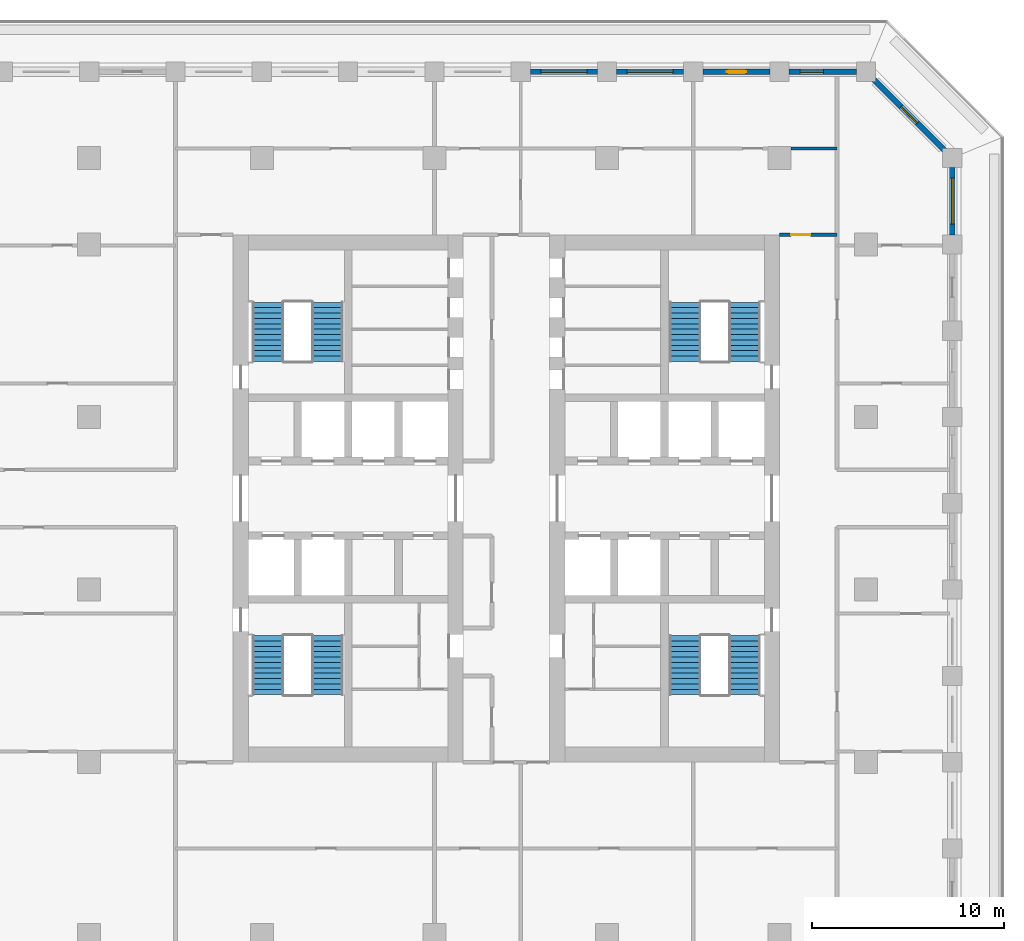
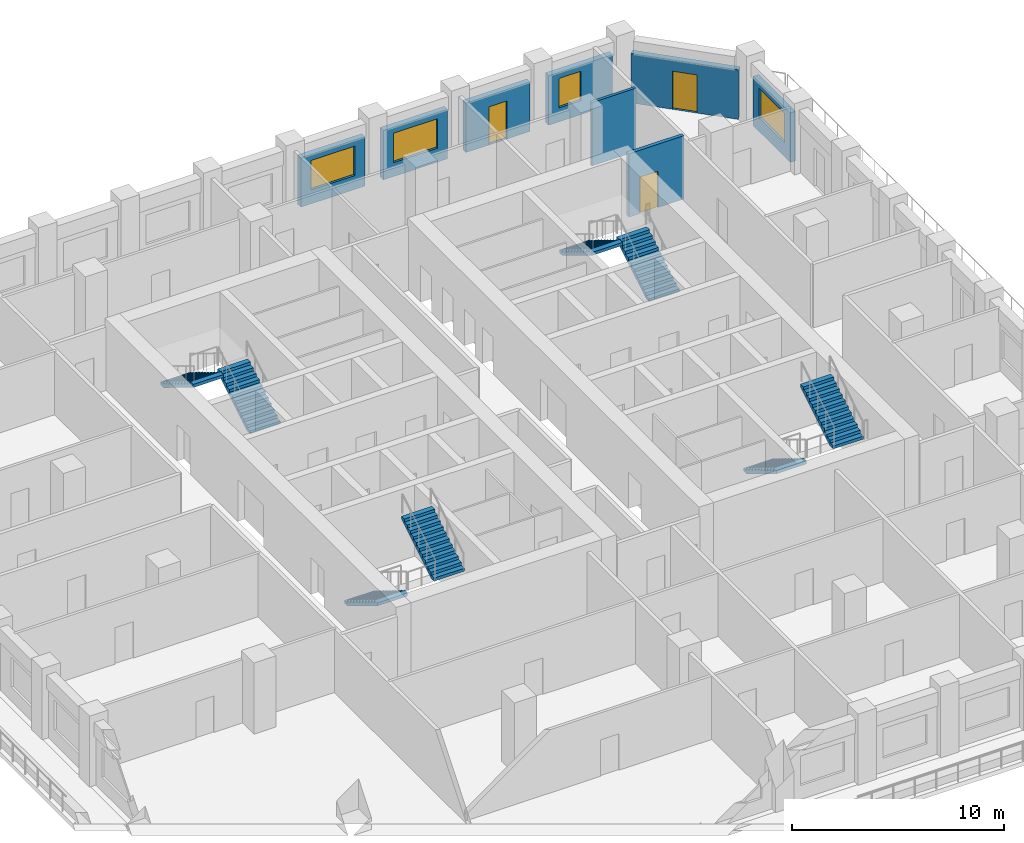
# One storey, part 8 of 16: 8 stair flights, 8 walls, 4 windows, 3 doors, 7 openings, 4 elements without a shape of their own.
"""IFC4 building model written with IfcOpenShell, lengths in metres."""

from ifc_helpers import new_model, si_unit, direction, frame, frame_2d, origin, place, context, subcontext, project, spatial, polyline, rectangle, outline, extrude, material, layer, layer_set, type_object, element, fill, aggregate, save


model = new_model("IFC4")

# Units and contexts
model_context = context("Model", 3, precision=1e-05, world=origin(), true_north=direction((0.0, 1.0)))
body_context = subcontext(model_context, "Body", "Model", "MODEL_VIEW")
ifc_project = project(units=[si_unit("LENGTHUNIT", "METRE"), si_unit("AREAUNIT", "SQUARE_METRE"), si_unit("VOLUMEUNIT", "CUBIC_METRE"), si_unit("PLANEANGLEUNIT", "RADIAN"), si_unit("MASSUNIT", "GRAM", prefix="KILO")], contexts=[model_context])

# Site, building, storey
site_placement = place(None, origin())
site = spatial("IfcSite", under=ifc_project, at=site_placement, CompositionType="ELEMENT")
building_placement = place(site_placement, origin())
building = spatial("IfcBuilding", under=site, at=building_placement, Name="Corbel Stack Research Tower", CompositionType="ELEMENT")
storey_placement = place(building_placement, frame((0.0, 0.0, 160.89990234375)))
storey = spatial("IfcBuildingStorey", under=building, at=storey_placement, Name="L36", CompositionType="ELEMENT", Elevation=160.89990234375)

# Wall, opening, door
ifc_material_1 = material(Name="Fire-rated gypsum board partition on steel studs", Category="steel")
ifc_layer_1 = layer(ifc_material_1, 0.199951171875)
ifc_layer_set_1 = layer_set([ifc_layer_1], Name="Fire-rated gypsum board partition on steel studs")
wall_type_1 = type_object("IfcWallType", Name="Fire-rated partition 200 EI 60", PredefinedType="PARTITIONING", material=ifc_layer_set_1)
wall_1_placement = place(storey_placement, frame((18.0, 18.5, 0.0), z_axis=(0.0, 0.0, 1.0), x_axis=(1.0, 0.0, 0.0)))
wall_1 = element("IfcWall", 1, at=wall_1_placement, inside=storey, type_object=wall_type_1, Name="Partition L36-043", PredefinedType="PARTITIONING", context=body_context, shape_type="SweptSolid", body=[
    extrude(rectangle(XDim=3.0, YDim=0.199951171875, at=frame_2d((1.5, 0.0))), origin(), (0.0, 0.0, 1.0), 3.650146484375),
])
opening_1_placement = place(wall_1_placement, frame((0.60009765625, 0.0, 0.0)))
opening_1 = element("IfcOpeningElement", 2, at=opening_1_placement, cuts=wall_1, Name="Opening B5V0-029", PredefinedType="OPENING", context=body_context, shape_type="SweptSolid", body=[
    extrude(rectangle(XDim=1.0, YDim=2.10009765625, at=frame_2d((0.5, 1.050048828125))), frame((0.0, 0.10986328125, 0.0), z_axis=(0.0, -1.0, 0.0), x_axis=(1.0, 0.0, 0.0)), (0.0, 0.0, 1.0), 0.219970703125),
])
ifc_material_2 = material(Name="Painted steel fire door", Category="steel")
door_type_1 = type_object("IfcDoorType", Name="Fire door FD30S 1000 x 2100", OperationType="NOTDEFINED", PredefinedType="DOOR", material=ifc_material_2)
door_1_placement = place(opening_1_placement, origin())
door_1 = element("IfcDoor", 3, at=door_1_placement, inside=storey, type_object=door_type_1, Name="Door B5V0-029", OperationType="SINGLE_SWING_LEFT", OverallHeight=2.10009765625, OverallWidth=1.0, PredefinedType="DOOR", context=body_context, shape_type="SweptSolid", body=[
    extrude(rectangle(XDim=1.0, YDim=2.10009765625, at=frame_2d((0.5, 1.050048828125))), frame((0.0, 0.02490234375, 0.0), z_axis=(0.0, -1.0, 0.0), x_axis=(1.0, 0.0, 0.0)), (0.0, 0.0, 1.0), 0.050048828125),
])
fill(opening_1, door_1)

# Wall
ifc_material_3 = material(Name="Gypsum board partition on steel studs", Category="steel")
ifc_layer_2 = layer(ifc_material_3, 0.14990234375)
ifc_layer_set_2 = layer_set([ifc_layer_2], Name="Gypsum board partition on steel studs")
wall_type_2 = type_object("IfcWallType", Name="Partition 150", PredefinedType="PARTITIONING", material=ifc_layer_set_2)
wall_2_placement = place(storey_placement, frame((18.60009765625, 23.0, 0.0), z_axis=(0.0, 0.0, 1.0), x_axis=(1.0, 0.0, 0.0)))
element("IfcWall", 4, at=wall_2_placement, inside=storey, type_object=wall_type_2, Name="Partition L36-048", PredefinedType="PARTITIONING", context=body_context, shape_type="SweptSolid", body=[
    extrude(rectangle(XDim=2.39990234375, YDim=0.14990234375, at=frame_2d((1.199951171875, 0.0))), origin(), (0.0, 0.0, 1.0), 3.650146484375),
])

# Wall, opening, window
ifc_material_4 = material(Name="Concrete C45/55", Category="concrete")
ifc_layer_3 = layer(ifc_material_4, 0.300048828125)
ifc_layer_set_3 = layer_set([ifc_layer_3], Name="Concrete C45/55")
wall_type_3 = type_object("IfcWallType", Name="Terracotta-faced concrete wall 300", PredefinedType="SOLIDWALL", material=ifc_layer_set_3)
wall_3_placement = place(storey_placement, frame((27.0, 22.0, 0.0), z_axis=(0.0, 0.0, 1.0), x_axis=(0.0, -1.0, 0.0)))
wall_3 = element("IfcWall", 5, at=wall_3_placement, inside=storey, type_object=wall_type_3, Name="Facade wall L36 E10", PredefinedType="SOLIDWALL", context=body_context, shape_type="SweptSolid", body=[
    extrude(rectangle(XDim=3.5, YDim=0.300048828125, at=frame_2d((1.75, 0.0))), origin(), (0.0, 0.0, 1.0), 2.85009765625),
])
opening_2_placement = place(wall_3_placement, frame((0.550048828125, 0.0, 0.800048828125)))
opening_2 = element("IfcOpeningElement", 6, at=opening_2_placement, cuts=wall_3, Name="Opening W1", PredefinedType="OPENING", context=body_context, shape_type="SweptSolid", body=[
    extrude(rectangle(XDim=2.39990234375, YDim=1.699951171875, at=frame_2d((1.199951171875, 0.85009765625))), frame((0.0, 0.159912109375, 0.0), z_axis=(0.0, -1.0, 0.0), x_axis=(1.0, 0.0, 0.0)), (0.0, 0.0, 1.0), 0.320068359375),
])
ifc_material_5 = material(Name="Aluminium frame, clear double glazing", Category="aluminium")
window_type_1 = type_object("IfcWindowType", Name="Window W1 2400 x 1700", PartitioningType="SINGLE_PANEL", PredefinedType="WINDOW", material=ifc_material_5)
window_1_placement = place(opening_2_placement, origin())
window_1 = element("IfcWindow", 7, at=window_1_placement, inside=storey, type_object=window_type_1, Name="Window W1 L36 E10", OverallHeight=1.699951171875, OverallWidth=2.39990234375, PartitioningType="SINGLE_PANEL", PredefinedType="WINDOW", context=body_context, shape_type="SweptSolid", body=[
    extrude(rectangle(XDim=2.39990234375, YDim=1.699951171875, at=frame_2d((1.199951171875, 0.85009765625))), frame((0.0, 0.030029296875, 0.0), z_axis=(0.0, -1.0, 0.0), x_axis=(1.0, 0.0, 0.0)), (0.0, 0.0, 1.0), 0.06005859375),
])
fill(opening_2, window_1)

# Wall, opening, door
wall_4_placement = place(storey_placement, frame((22.893798828125, 26.606201171875, 0.0), z_axis=(0.0, 0.0, 1.0), x_axis=(0.707106781187, -0.707106781187, 0.0)))
wall_4 = element("IfcWall", 8, at=wall_4_placement, inside=storey, type_object=wall_type_3, Name="Facade wall L36 NE01", PredefinedType="SOLIDWALL", context=body_context, shape_type="SweptSolid", body=[
    extrude(rectangle(XDim=5.250244140625, YDim=0.300048828125, at=frame_2d((2.625, 0.0))), origin(), (0.0, 0.0, 1.0), 2.85009765625),
])
opening_3_placement = place(wall_4_placement, frame((2.02490234375, 0.0, 0.0)))
opening_3 = element("IfcOpeningElement", 9, at=opening_3_placement, cuts=wall_4, Name="Opening L36-B06", PredefinedType="OPENING", context=body_context, shape_type="SweptSolid", body=[
    extrude(rectangle(XDim=1.199951171875, YDim=2.199951171875, at=frame_2d((0.60009765625, 1.10009765625))), frame((0.0, 0.159912109375, 0.0), z_axis=(0.0, -1.0, 0.0), x_axis=(1.0, 0.0, 0.0)), (0.0, 0.0, 1.0), 0.320068359375),
])
ifc_material_6 = material(Name="Aluminium frame, clear double glazing", Category="aluminium")
door_type_2 = type_object("IfcDoorType", Name="Balcony door BD2 1200 x 2200", OperationType="NOTDEFINED", PredefinedType="DOOR", material=ifc_material_6)
door_2_placement = place(opening_3_placement, origin())
door_2 = element("IfcDoor", 10, at=door_2_placement, inside=storey, type_object=door_type_2, Name="Balcony door L36-B06", OperationType="SINGLE_SWING_LEFT", OverallHeight=2.199951171875, OverallWidth=1.199951171875, PredefinedType="DOOR", context=body_context, shape_type="SweptSolid", body=[
    extrude(rectangle(XDim=1.199951171875, YDim=2.199951171875, at=frame_2d((0.60009765625, 1.10009765625))), frame((0.0, 0.02490234375, 0.0), z_axis=(0.0, -1.0, 0.0), x_axis=(1.0, 0.0, 0.0)), (0.0, 0.0, 1.0), 0.050048828125),
])
fill(opening_3, door_2)

# Wall, opening, window
wall_5_placement = place(storey_placement, frame((18.5, 27.0, 0.0), z_axis=(0.0, 0.0, 1.0), x_axis=(1.0, 0.0, 0.0)))
wall_5 = element("IfcWall", 11, at=wall_5_placement, inside=storey, type_object=wall_type_3, Name="Facade wall L36 N01", PredefinedType="SOLIDWALL", context=body_context, shape_type="SweptSolid", body=[
    extrude(rectangle(XDim=3.5, YDim=0.300048828125, at=frame_2d((1.75, 0.0))), origin(), (0.0, 0.0, 1.0), 2.85009765625),
])
opening_4_placement = place(wall_5_placement, frame((0.574951171875, 0.0, 0.800048828125)))
opening_4 = element("IfcOpeningElement", 12, at=opening_4_placement, cuts=wall_5, Name="Opening W2", PredefinedType="OPENING", context=body_context, shape_type="SweptSolid", body=[
    extrude(rectangle(XDim=1.199951171875, YDim=1.699951171875, at=frame_2d((0.60009765625, 0.85009765625))), frame((0.0, 0.159912109375, 0.0), z_axis=(0.0, -1.0, 0.0), x_axis=(1.0, 0.0, 0.0)), (0.0, 0.0, 1.0), 0.320068359375),
])
ifc_material_7 = material(Name="Aluminium frame, clear double glazing", Category="aluminium")
window_type_2 = type_object("IfcWindowType", Name="Window W2 1200 x 1700", PartitioningType="SINGLE_PANEL", PredefinedType="WINDOW", material=ifc_material_7)
window_2_placement = place(opening_4_placement, origin())
window_2 = element("IfcWindow", 13, at=window_2_placement, inside=storey, type_object=window_type_2, Name="Window W2 L36 N01", OverallHeight=1.699951171875, OverallWidth=1.199951171875, PartitioningType="SINGLE_PANEL", PredefinedType="WINDOW", context=body_context, shape_type="SweptSolid", body=[
    extrude(rectangle(XDim=1.199951171875, YDim=1.699951171875, at=frame_2d((0.60009765625, 0.85009765625))), frame((0.0, 0.030029296875, 0.0), z_axis=(0.0, -1.0, 0.0), x_axis=(1.0, 0.0, 0.0)), (0.0, 0.0, 1.0), 0.06005859375),
])
fill(opening_4, window_2)

# Wall, opening, door
wall_6_placement = place(storey_placement, frame((14.0, 27.0, 0.0), z_axis=(0.0, 0.0, 1.0), x_axis=(1.0, 0.0, 0.0)))
wall_6 = element("IfcWall", 14, at=wall_6_placement, inside=storey, type_object=wall_type_3, Name="Facade wall L36 N02", PredefinedType="SOLIDWALL", context=body_context, shape_type="SweptSolid", body=[
    extrude(rectangle(XDim=3.5, YDim=0.300048828125, at=frame_2d((1.75, 0.0))), origin(), (0.0, 0.0, 1.0), 2.85009765625),
])
opening_5_placement = place(wall_6_placement, frame((1.25, 0.0, 0.0)))
opening_5 = element("IfcOpeningElement", 15, at=opening_5_placement, cuts=wall_6, Name="Opening L36-B07", PredefinedType="OPENING", context=body_context, shape_type="SweptSolid", body=[
    extrude(rectangle(XDim=1.0, YDim=2.199951171875, at=frame_2d((0.5, 1.10009765625))), frame((0.0, 0.159912109375, 0.0), z_axis=(0.0, -1.0, 0.0), x_axis=(1.0, 0.0, 0.0)), (0.0, 0.0, 1.0), 0.320068359375),
])
ifc_material_8 = material(Name="Aluminium frame, clear double glazing", Category="aluminium")
door_type_3 = type_object("IfcDoorType", Name="Balcony door BD1 1000 x 2200", OperationType="NOTDEFINED", PredefinedType="DOOR", material=ifc_material_8)
door_3_placement = place(opening_5_placement, origin())
door_3 = element("IfcDoor", 16, at=door_3_placement, inside=storey, type_object=door_type_3, Name="Balcony door L36-B07", OperationType="SINGLE_SWING_RIGHT", OverallHeight=2.199951171875, OverallWidth=1.0, PredefinedType="DOOR", context=body_context, shape_type="SweptSolid", body=[
    extrude(rectangle(XDim=1.0, YDim=2.199951171875, at=frame_2d((0.5, 1.10009765625))), frame((0.0, 0.02490234375, 0.0), z_axis=(0.0, -1.0, 0.0), x_axis=(1.0, 0.0, 0.0)), (0.0, 0.0, 1.0), 0.050048828125),
])
fill(opening_5, door_3)

# Wall, opening, window
wall_7_placement = place(storey_placement, frame((9.5, 27.0, 0.0), z_axis=(0.0, 0.0, 1.0), x_axis=(1.0, 0.0, 0.0)))
wall_7 = element("IfcWall", 17, at=wall_7_placement, inside=storey, type_object=wall_type_3, Name="Facade wall L36 N03", PredefinedType="SOLIDWALL", context=body_context, shape_type="SweptSolid", body=[
    extrude(rectangle(XDim=3.5, YDim=0.300048828125, at=frame_2d((1.75, 0.0))), origin(), (0.0, 0.0, 1.0), 2.85009765625),
])
opening_6_placement = place(wall_7_placement, frame((0.550048828125, 0.0, 0.800048828125)))
opening_6 = element("IfcOpeningElement", 18, at=opening_6_placement, cuts=wall_7, Name="Opening W1", PredefinedType="OPENING", context=body_context, shape_type="SweptSolid", body=[
    extrude(rectangle(XDim=2.39990234375, YDim=1.699951171875, at=frame_2d((1.199951171875, 0.85009765625))), frame((0.0, 0.159912109375, 0.0), z_axis=(0.0, -1.0, 0.0), x_axis=(1.0, 0.0, 0.0)), (0.0, 0.0, 1.0), 0.320068359375),
])
window_3_placement = place(opening_6_placement, origin())
window_3 = element("IfcWindow", 19, at=window_3_placement, inside=storey, type_object=window_type_1, Name="Window W1 L36 N03", OverallHeight=1.699951171875, OverallWidth=2.39990234375, PartitioningType="SINGLE_PANEL", PredefinedType="WINDOW", context=body_context, shape_type="SweptSolid", body=[
    extrude(rectangle(XDim=2.39990234375, YDim=1.699951171875, at=frame_2d((1.199951171875, 0.85009765625))), frame((0.0, 0.030029296875, 0.0), z_axis=(0.0, -1.0, 0.0), x_axis=(1.0, 0.0, 0.0)), (0.0, 0.0, 1.0), 0.06005859375),
])
fill(opening_6, window_3)

wall_8_placement = place(storey_placement, frame((5.0, 27.0, 0.0), z_axis=(0.0, 0.0, 1.0), x_axis=(1.0, 0.0, 0.0)))
wall_8 = element("IfcWall", 20, at=wall_8_placement, inside=storey, type_object=wall_type_3, Name="Facade wall L36 N04", PredefinedType="SOLIDWALL", context=body_context, shape_type="SweptSolid", body=[
    extrude(rectangle(XDim=3.5, YDim=0.300048828125, at=frame_2d((1.75, 0.0))), origin(), (0.0, 0.0, 1.0), 2.85009765625),
])
opening_7_placement = place(wall_8_placement, frame((0.550048828125, 0.0, 0.800048828125)))
opening_7 = element("IfcOpeningElement", 21, at=opening_7_placement, cuts=wall_8, Name="Opening W1", PredefinedType="OPENING", context=body_context, shape_type="SweptSolid", body=[
    extrude(rectangle(XDim=2.39990234375, YDim=1.699951171875, at=frame_2d((1.199951171875, 0.85009765625))), frame((0.0, 0.159912109375, 0.0), z_axis=(0.0, -1.0, 0.0), x_axis=(1.0, 0.0, 0.0)), (0.0, 0.0, 1.0), 0.320068359375),
])
window_4_placement = place(opening_7_placement, origin())
window_4 = element("IfcWindow", 22, at=window_4_placement, inside=storey, type_object=window_type_1, Name="Window W1 L36 N04", OverallHeight=1.699951171875, OverallWidth=2.39990234375, PartitioningType="SINGLE_PANEL", PredefinedType="WINDOW", context=body_context, shape_type="SweptSolid", body=[
    extrude(rectangle(XDim=2.39990234375, YDim=1.699951171875, at=frame_2d((1.199951171875, 0.85009765625))), frame((0.0, 0.030029296875, 0.0), z_axis=(0.0, -1.0, 0.0), x_axis=(1.0, 0.0, 0.0)), (0.0, 0.0, 1.0), 0.06005859375),
])
fill(opening_7, window_4)

# Stair, stair flights
ifc_material_9 = material(Name="Concrete C40/50", Category="concrete")
stair_type = type_object("IfcStairType", Name="Exit stair 24 risers", PredefinedType="HALF_TURN_STAIR", material=ifc_material_9)
stair_1_placement = place(storey_placement, origin())
stair_1 = element("IfcStair", 23, at=stair_1_placement, inside=storey, type_object=stair_type, Name="L36 Exit stair ST-W1", PredefinedType="HALF_TURN_STAIR")
ifc_material_10 = material(Name="Concrete C40/50", Category="concrete")
stair_flight_type = type_object("IfcStairFlightType", Name="Stair flight 12 risers", PredefinedType="STRAIGHT", material=ifc_material_10)
stair_flight_1_placement = place(storey_placement, frame((-8.675048828125, -2.39990234375, 0.0), z_axis=(0.0, 0.0, 1.0), x_axis=(0.0, -1.0, 0.0)))
stair_flight_1 = element("IfcStairFlight", 24, at=stair_flight_1_placement, type_object=stair_flight_type, Name="ST-W1 flight 1", NumberOfRisers=12, NumberOfTreads=11, PredefinedType="STRAIGHT", RiserHeight=0.170833333, TreadLength=0.28, context=body_context, shape_type="SweptSolid", body=[
    extrude(outline(polyline([(0.0, 0.0), (0.0, 0.1708984375), (0.280029296875, 0.1708984375), (0.280029296875, 0.341552734375), (0.56005859375, 0.341552734375), (0.56005859375, 0.512451171875), (0.840087890625, 0.512451171875), (0.840087890625, 0.683349609375), (1.1201171875, 0.683349609375), (1.1201171875, 0.854248046875), (1.39990234375, 0.854248046875), (1.39990234375, 1.02490234375), (1.679931640625, 1.02490234375), (1.679931640625, 1.19580078125), (1.9599609375, 1.19580078125), (1.9599609375, 1.36669921875), (2.239990234375, 1.36669921875), (2.239990234375, 1.53759765625), (2.52001953125, 1.53759765625), (2.52001953125, 1.708251953125), (2.800048828125, 1.708251953125), (2.800048828125, 1.879150390625), (3.080078125, 1.879150390625), (3.080078125, 2.050048828125), (3.080078125, 1.70361328125), (0.287841796875, 0.0), (0.0, 0.0)])), frame((0.0, 0.824951171875, 0.0), z_axis=(0.0, -1.0, 0.0), x_axis=(1.0, 0.0, 0.0)), (0.0, 0.0, 1.0), 1.64990234375),
])
stair_flight_2_placement = place(storey_placement, frame((-5.574951171875, -5.47998046875, 2.050048828125), z_axis=(0.0, 0.0, 1.0), x_axis=(0.0, 1.0, 0.0)))
stair_flight_2 = element("IfcStairFlight", 25, at=stair_flight_2_placement, type_object=stair_flight_type, Name="ST-W1 flight 2", NumberOfRisers=12, NumberOfTreads=11, PredefinedType="STRAIGHT", RiserHeight=0.170833333, TreadLength=0.28, context=body_context, shape_type="SweptSolid", body=[
    extrude(outline(polyline([(0.0, 0.0), (0.0, 0.1708984375), (0.280029296875, 0.1708984375), (0.280029296875, 0.341552734375), (0.56005859375, 0.341552734375), (0.56005859375, 0.512451171875), (0.840087890625, 0.512451171875), (0.840087890625, 0.683349609375), (1.1201171875, 0.683349609375), (1.1201171875, 0.854248046875), (1.39990234375, 0.854248046875), (1.39990234375, 1.02490234375), (1.679931640625, 1.02490234375), (1.679931640625, 1.19580078125), (1.9599609375, 1.19580078125), (1.9599609375, 1.36669921875), (2.239990234375, 1.36669921875), (2.239990234375, 1.53759765625), (2.52001953125, 1.53759765625), (2.52001953125, 1.708251953125), (2.800048828125, 1.708251953125), (2.800048828125, 1.879150390625), (3.080078125, 1.879150390625), (3.080078125, 2.050048828125), (3.080078125, 1.70361328125), (0.287841796875, 0.0), (0.0, 0.0)])), frame((0.0, 0.824951171875, 0.0), z_axis=(0.0, -1.0, 0.0), x_axis=(1.0, 0.0, 0.0)), (0.0, 0.0, 1.0), 1.64990234375),
])
aggregate(stair_1, [stair_flight_1, stair_flight_2])

stair_2_placement = place(storey_placement, origin())
stair_2 = element("IfcStair", 26, at=stair_2_placement, inside=storey, type_object=stair_type, Name="L36 Exit stair ST-W2", PredefinedType="HALF_TURN_STAIR")
stair_flight_3_placement = place(storey_placement, frame((-5.574951171875, 11.89990234375, 0.0), z_axis=(0.0, 0.0, 1.0), x_axis=(0.0, 1.0, 0.0)))
stair_flight_3 = element("IfcStairFlight", 27, at=stair_flight_3_placement, type_object=stair_flight_type, Name="ST-W2 flight 1", NumberOfRisers=12, NumberOfTreads=11, PredefinedType="STRAIGHT", RiserHeight=0.170833333, TreadLength=0.28, context=body_context, shape_type="SweptSolid", body=[
    extrude(outline(polyline([(0.0, 0.0), (0.0, 0.1708984375), (0.280029296875, 0.1708984375), (0.280029296875, 0.341552734375), (0.56005859375, 0.341552734375), (0.56005859375, 0.512451171875), (0.840087890625, 0.512451171875), (0.840087890625, 0.683349609375), (1.1201171875, 0.683349609375), (1.1201171875, 0.854248046875), (1.39990234375, 0.854248046875), (1.39990234375, 1.02490234375), (1.679931640625, 1.02490234375), (1.679931640625, 1.19580078125), (1.9599609375, 1.19580078125), (1.9599609375, 1.36669921875), (2.239990234375, 1.36669921875), (2.239990234375, 1.53759765625), (2.52001953125, 1.53759765625), (2.52001953125, 1.708251953125), (2.800048828125, 1.708251953125), (2.800048828125, 1.879150390625), (3.080078125, 1.879150390625), (3.080078125, 2.050048828125), (3.080078125, 1.70361328125), (0.287841796875, 0.0), (0.0, 0.0)])), frame((0.0, 0.824951171875, 0.0), z_axis=(0.0, -1.0, 0.0), x_axis=(1.0, 0.0, 0.0)), (0.0, 0.0, 1.0), 1.64990234375),
])
stair_flight_4_placement = place(storey_placement, frame((-8.675048828125, 14.97998046875, 2.050048828125), z_axis=(0.0, 0.0, 1.0), x_axis=(0.0, -1.0, 0.0)))
stair_flight_4 = element("IfcStairFlight", 28, at=stair_flight_4_placement, type_object=stair_flight_type, Name="ST-W2 flight 2", NumberOfRisers=12, NumberOfTreads=11, PredefinedType="STRAIGHT", RiserHeight=0.170833333, TreadLength=0.28, context=body_context, shape_type="SweptSolid", body=[
    extrude(outline(polyline([(0.0, 0.0), (0.0, 0.1708984375), (0.280029296875, 0.1708984375), (0.280029296875, 0.341552734375), (0.56005859375, 0.341552734375), (0.56005859375, 0.512451171875), (0.840087890625, 0.512451171875), (0.840087890625, 0.683349609375), (1.1201171875, 0.683349609375), (1.1201171875, 0.854248046875), (1.39990234375, 0.854248046875), (1.39990234375, 1.02490234375), (1.679931640625, 1.02490234375), (1.679931640625, 1.19580078125), (1.9599609375, 1.19580078125), (1.9599609375, 1.36669921875), (2.239990234375, 1.36669921875), (2.239990234375, 1.53759765625), (2.52001953125, 1.53759765625), (2.52001953125, 1.708251953125), (2.800048828125, 1.708251953125), (2.800048828125, 1.879150390625), (3.080078125, 1.879150390625), (3.080078125, 2.050048828125), (3.080078125, 1.70361328125), (0.287841796875, 0.0), (0.0, 0.0)])), frame((0.0, 0.824951171875, 0.0), z_axis=(0.0, -1.0, 0.0), x_axis=(1.0, 0.0, 0.0)), (0.0, 0.0, 1.0), 1.64990234375),
])
aggregate(stair_2, [stair_flight_3, stair_flight_4])

stair_3_placement = place(storey_placement, origin())
stair_3 = element("IfcStair", 29, at=stair_3_placement, inside=storey, type_object=stair_type, Name="L36 Exit stair ST-E1", PredefinedType="HALF_TURN_STAIR")
stair_flight_5_placement = place(storey_placement, frame((13.074951171875, -2.39990234375, 0.0), z_axis=(0.0, 0.0, 1.0), x_axis=(0.0, -1.0, 0.0)))
stair_flight_5 = element("IfcStairFlight", 30, at=stair_flight_5_placement, type_object=stair_flight_type, Name="ST-E1 flight 1", NumberOfRisers=12, NumberOfTreads=11, PredefinedType="STRAIGHT", RiserHeight=0.170833333, TreadLength=0.28, context=body_context, shape_type="SweptSolid", body=[
    extrude(outline(polyline([(0.0, 0.0), (0.0, 0.1708984375), (0.280029296875, 0.1708984375), (0.280029296875, 0.341552734375), (0.56005859375, 0.341552734375), (0.56005859375, 0.512451171875), (0.840087890625, 0.512451171875), (0.840087890625, 0.683349609375), (1.1201171875, 0.683349609375), (1.1201171875, 0.854248046875), (1.39990234375, 0.854248046875), (1.39990234375, 1.02490234375), (1.679931640625, 1.02490234375), (1.679931640625, 1.19580078125), (1.9599609375, 1.19580078125), (1.9599609375, 1.36669921875), (2.239990234375, 1.36669921875), (2.239990234375, 1.53759765625), (2.52001953125, 1.53759765625), (2.52001953125, 1.708251953125), (2.800048828125, 1.708251953125), (2.800048828125, 1.879150390625), (3.080078125, 1.879150390625), (3.080078125, 2.050048828125), (3.080078125, 1.70361328125), (0.287841796875, 0.0), (0.0, 0.0)])), frame((0.0, 0.824951171875, 0.0), z_axis=(0.0, -1.0, 0.0), x_axis=(1.0, 0.0, 0.0)), (0.0, 0.0, 1.0), 1.64990234375),
])
stair_flight_6_placement = place(storey_placement, frame((16.175048828125, -5.47998046875, 2.050048828125), z_axis=(0.0, 0.0, 1.0), x_axis=(0.0, 1.0, 0.0)))
stair_flight_6 = element("IfcStairFlight", 31, at=stair_flight_6_placement, type_object=stair_flight_type, Name="ST-E1 flight 2", NumberOfRisers=12, NumberOfTreads=11, PredefinedType="STRAIGHT", RiserHeight=0.170833333, TreadLength=0.28, context=body_context, shape_type="SweptSolid", body=[
    extrude(outline(polyline([(0.0, 0.0), (0.0, 0.1708984375), (0.280029296875, 0.1708984375), (0.280029296875, 0.341552734375), (0.56005859375, 0.341552734375), (0.56005859375, 0.512451171875), (0.840087890625, 0.512451171875), (0.840087890625, 0.683349609375), (1.1201171875, 0.683349609375), (1.1201171875, 0.854248046875), (1.39990234375, 0.854248046875), (1.39990234375, 1.02490234375), (1.679931640625, 1.02490234375), (1.679931640625, 1.19580078125), (1.9599609375, 1.19580078125), (1.9599609375, 1.36669921875), (2.239990234375, 1.36669921875), (2.239990234375, 1.53759765625), (2.52001953125, 1.53759765625), (2.52001953125, 1.708251953125), (2.800048828125, 1.708251953125), (2.800048828125, 1.879150390625), (3.080078125, 1.879150390625), (3.080078125, 2.050048828125), (3.080078125, 1.70361328125), (0.287841796875, 0.0), (0.0, 0.0)])), frame((0.0, 0.824951171875, 0.0), z_axis=(0.0, -1.0, 0.0), x_axis=(1.0, 0.0, 0.0)), (0.0, 0.0, 1.0), 1.64990234375),
])
aggregate(stair_3, [stair_flight_5, stair_flight_6])

stair_4_placement = place(storey_placement, origin())
stair_4 = element("IfcStair", 32, at=stair_4_placement, inside=storey, type_object=stair_type, Name="L36 Exit stair ST-E2", PredefinedType="HALF_TURN_STAIR")
stair_flight_7_placement = place(storey_placement, frame((16.175048828125, 11.89990234375, 0.0), z_axis=(0.0, 0.0, 1.0), x_axis=(0.0, 1.0, 0.0)))
stair_flight_7 = element("IfcStairFlight", 33, at=stair_flight_7_placement, type_object=stair_flight_type, Name="ST-E2 flight 1", NumberOfRisers=12, NumberOfTreads=11, PredefinedType="STRAIGHT", RiserHeight=0.170833333, TreadLength=0.28, context=body_context, shape_type="SweptSolid", body=[
    extrude(outline(polyline([(0.0, 0.0), (0.0, 0.1708984375), (0.280029296875, 0.1708984375), (0.280029296875, 0.341552734375), (0.56005859375, 0.341552734375), (0.56005859375, 0.512451171875), (0.840087890625, 0.512451171875), (0.840087890625, 0.683349609375), (1.1201171875, 0.683349609375), (1.1201171875, 0.854248046875), (1.39990234375, 0.854248046875), (1.39990234375, 1.02490234375), (1.679931640625, 1.02490234375), (1.679931640625, 1.19580078125), (1.9599609375, 1.19580078125), (1.9599609375, 1.36669921875), (2.239990234375, 1.36669921875), (2.239990234375, 1.53759765625), (2.52001953125, 1.53759765625), (2.52001953125, 1.708251953125), (2.800048828125, 1.708251953125), (2.800048828125, 1.879150390625), (3.080078125, 1.879150390625), (3.080078125, 2.050048828125), (3.080078125, 1.70361328125), (0.287841796875, 0.0), (0.0, 0.0)])), frame((0.0, 0.824951171875, 0.0), z_axis=(0.0, -1.0, 0.0), x_axis=(1.0, 0.0, 0.0)), (0.0, 0.0, 1.0), 1.64990234375),
])
stair_flight_8_placement = place(storey_placement, frame((13.074951171875, 14.97998046875, 2.050048828125), z_axis=(0.0, 0.0, 1.0), x_axis=(0.0, -1.0, 0.0)))
stair_flight_8 = element("IfcStairFlight", 34, at=stair_flight_8_placement, type_object=stair_flight_type, Name="ST-E2 flight 2", NumberOfRisers=12, NumberOfTreads=11, PredefinedType="STRAIGHT", RiserHeight=0.170833333, TreadLength=0.28, context=body_context, shape_type="SweptSolid", body=[
    extrude(outline(polyline([(0.0, 0.0), (0.0, 0.1708984375), (0.280029296875, 0.1708984375), (0.280029296875, 0.341552734375), (0.56005859375, 0.341552734375), (0.56005859375, 0.512451171875), (0.840087890625, 0.512451171875), (0.840087890625, 0.683349609375), (1.1201171875, 0.683349609375), (1.1201171875, 0.854248046875), (1.39990234375, 0.854248046875), (1.39990234375, 1.02490234375), (1.679931640625, 1.02490234375), (1.679931640625, 1.19580078125), (1.9599609375, 1.19580078125), (1.9599609375, 1.36669921875), (2.239990234375, 1.36669921875), (2.239990234375, 1.53759765625), (2.52001953125, 1.53759765625), (2.52001953125, 1.708251953125), (2.800048828125, 1.708251953125), (2.800048828125, 1.879150390625), (3.080078125, 1.879150390625), (3.080078125, 2.050048828125), (3.080078125, 1.70361328125), (0.287841796875, 0.0), (0.0, 0.0)])), frame((0.0, 0.824951171875, 0.0), z_axis=(0.0, -1.0, 0.0), x_axis=(1.0, 0.0, 0.0)), (0.0, 0.0, 1.0), 1.64990234375),
])
aggregate(stair_4, [stair_flight_7, stair_flight_8])

save(model, "model.ifc")
